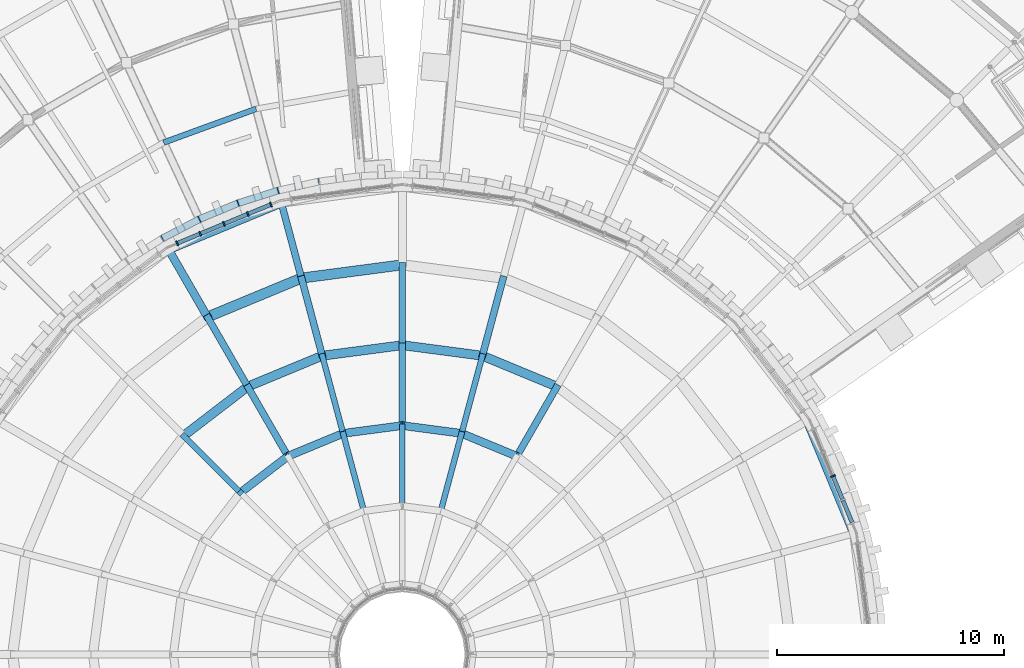
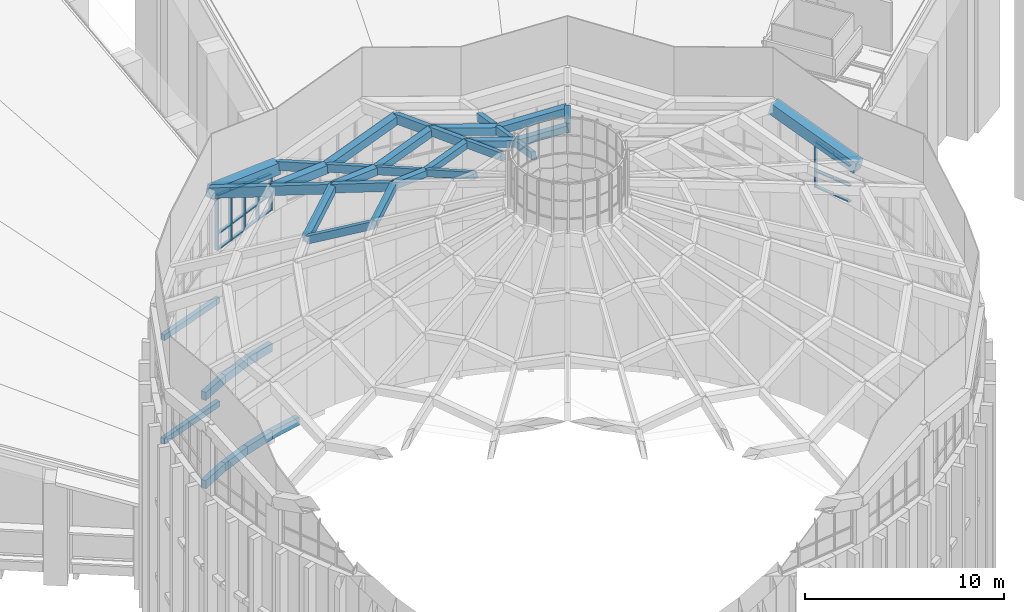
# One storey, part 15 of 82: 38 beams, 24 members, 2 elements without a shape of their own.
"""IFC4 building model written with IfcOpenShell, lengths in metres."""

from ifc_helpers import new_model, si_unit, direction, frame, origin, origin_2d, place, context, subcontext, project, spatial, rectangle, extrude, material, layer, layer_set, material_profile, profile_set, type_object, element, aggregate, save


model = new_model("IFC4")

# Units and contexts
model_context = context("Model", 3, precision=1e-05, world=origin(), true_north=direction((0.0, 1.0)))
body_context = subcontext(model_context, "Body", "Model", "MODEL_VIEW")
ifc_project = project(units=[si_unit("LENGTHUNIT", "METRE"), si_unit("AREAUNIT", "SQUARE_METRE"), si_unit("VOLUMEUNIT", "CUBIC_METRE"), si_unit("PLANEANGLEUNIT", "RADIAN"), si_unit("MASSUNIT", "GRAM", prefix="KILO")], contexts=[model_context])

# Site, building, storey
site_placement = place(None, origin())
site = spatial("IfcSite", under=ifc_project, at=site_placement, CompositionType="ELEMENT")
building_placement = place(site_placement, origin())
building = spatial("IfcBuilding", under=site, at=building_placement, Name="Volute Hill Aquarium", CompositionType="ELEMENT")
storey_placement = place(building_placement, frame((0.0, 0.0, 13.800048828125)))
storey = spatial("IfcBuildingStorey", under=building, at=storey_placement, Name="L04", CompositionType="ELEMENT", Elevation=13.800048828125)

# Curtain wall, member
ifc_material_1 = material(Name="Aluminium", Category="aluminium")
ifc_layer = layer(ifc_material_1, 0.219970703125)
ifc_layer_set = layer_set([ifc_layer], Name="Curtain wall DR clerestory module 1134")
curtain_wall_type = type_object("IfcCurtainWallType", Name="Curtain wall DR clerestory module 1134", PredefinedType="NOTDEFINED", material=ifc_layer_set)
curtain_wall_1_placement = place(storey_placement, origin())
curtain_wall_1 = element("IfcCurtainWall", 1, at=curtain_wall_1_placement, inside=storey, type_object=curtain_wall_type, Name="Curtain wall CW DR clerestory c01", PredefinedType="NOTDEFINED")
ifc_material_2 = material(Name="Aluminium", Category="aluminium")
ifc_material_profile_1 = material_profile(ifc_material_2, rectangle(XDim=0.219970703125, YDim=0.070068359375, at=origin_2d()), Name="Curtain wall mullion clerestory 70x220")
ifc_profile_set_1 = profile_set([ifc_material_profile_1], Name="Aluminium")
member_type_1 = type_object("IfcMemberType", Name="Curtain wall mullion clerestory 70x220", PredefinedType="MULLION", material=ifc_profile_set_1)
member_1_placement = place(storey_placement, frame((18.960693359375, 7.853759765625, 13.699951171875), z_axis=(0.0, 0.0, 1.0), x_axis=(-0.923874284426, -0.382696102118, 0.0)))
member_1 = element("IfcMember", 2, at=member_1_placement, type_object=member_type_1, Name="Mullion DR clerestory 3", PredefinedType="MULLION", context=body_context, shape_type="SweptSolid", body=[
    extrude(rectangle(XDim=0.219970703125, YDim=0.070068359375, at=origin_2d()), origin(), (0.0, 0.0, 1.0), 2.827392578125),
])

# Curtain wall, members
curtain_wall_2_placement = place(storey_placement, origin())
curtain_wall_2 = element("IfcCurtainWall", 3, at=curtain_wall_2_placement, inside=storey, type_object=curtain_wall_type, Name="Curtain wall CW DR clerestory c07", PredefinedType="NOTDEFINED")
member_2_placement = place(storey_placement, frame((-5.790771484375, 19.815185546875, 13.699951171875), z_axis=(0.0, 0.0, 1.0), x_axis=(0.382696102118, -0.923874284426, 0.0)))
member_2 = element("IfcMember", 4, at=member_2_placement, type_object=member_type_1, Name="Mullion DR clerestory 1", PredefinedType="MULLION", context=body_context, shape_type="SweptSolid", body=[
    extrude(rectangle(XDim=0.219970703125, YDim=0.070068359375, at=origin_2d()), origin(), (0.0, 0.0, 1.0), 2.248779296875),
])
member_3_placement = place(storey_placement, frame((-6.80615234375, 19.394775390625, 13.699951171875), z_axis=(0.0, 0.0, 1.0), x_axis=(0.382696102118, -0.923874284426, 0.0)))
member_3 = element("IfcMember", 5, at=member_3_placement, type_object=member_type_1, Name="Mullion DR clerestory 2", PredefinedType="MULLION", context=body_context, shape_type="SweptSolid", body=[
    extrude(rectangle(XDim=0.219970703125, YDim=0.070068359375, at=origin_2d()), origin(), (0.0, 0.0, 1.0), 2.533447265625),
])
member_4_placement = place(storey_placement, frame((-7.853759765625, 18.960693359375, 13.699951171875), z_axis=(0.0, 0.0, 1.0), x_axis=(0.382696102118, -0.923874284426, 0.0)))
member_4 = element("IfcMember", 6, at=member_4_placement, type_object=member_type_1, Name="Mullion DR clerestory 3", PredefinedType="MULLION", context=body_context, shape_type="SweptSolid", body=[
    extrude(rectangle(XDim=0.219970703125, YDim=0.070068359375, at=origin_2d()), origin(), (0.0, 0.0, 1.0), 2.827392578125),
])
member_5_placement = place(storey_placement, frame((-8.9013671875, 18.526611328125, 13.699951171875), z_axis=(0.0, 0.0, 1.0), x_axis=(0.382696102118, -0.923874284426, 0.0)))
member_5 = element("IfcMember", 7, at=member_5_placement, type_object=member_type_1, Name="Mullion DR clerestory 4", PredefinedType="MULLION", context=body_context, shape_type="SweptSolid", body=[
    extrude(rectangle(XDim=0.219970703125, YDim=0.070068359375, at=origin_2d()), origin(), (0.0, 0.0, 1.0), 3.12109375),
])
member_6_placement = place(storey_placement, frame((-9.916748046875, 18.106201171875, 13.699951171875), z_axis=(0.0, 0.0, 1.0), x_axis=(0.382696102118, -0.923874284426, 0.0)))
member_6 = element("IfcMember", 8, at=member_6_placement, type_object=member_type_1, Name="Mullion DR clerestory 5", PredefinedType="MULLION", context=body_context, shape_type="SweptSolid", body=[
    extrude(rectangle(XDim=0.219970703125, YDim=0.070068359375, at=origin_2d()), origin(), (0.0, 0.0, 1.0), 3.40576171875),
])

# Member
ifc_material_3 = material(Name="Aluminium", Category="aluminium")
ifc_material_profile_2 = material_profile(ifc_material_3, rectangle(XDim=0.179931640625, YDim=0.070068359375, at=origin_2d()), Name="Curtain wall transom clerestory 70x180")
ifc_profile_set_2 = profile_set([ifc_material_profile_2], Name="Aluminium")
member_type_2 = type_object("IfcMemberType", Name="Curtain wall transom clerestory 70x180", PredefinedType="USERDEFINED", material=ifc_profile_set_2)
member_7_placement = place(storey_placement, frame((19.8017578125, 5.8232421875, 13.73486328125), z_axis=(-0.382777942923, 0.923840379293, 0.0), x_axis=(-0.923840379293, -0.382777942923, 0.0)))
member_7 = element("IfcMember", 9, at=member_7_placement, type_object=member_type_2, Name="Transom DR clerestory 1.1", ObjectType="TRANSOM", PredefinedType="USERDEFINED", context=body_context, shape_type="SweptSolid", body=[
    extrude(rectangle(XDim=0.179931640625, YDim=0.070068359375, at=origin_2d()), origin(), (0.0, 0.0, 1.0), 1.02880859375),
])

member_8_placement = place(storey_placement, frame((19.8017578125, 5.8232421875, 14.699951171875), z_axis=(-0.382777942923, 0.923840379293, 0.0), x_axis=(-0.923840379293, -0.382777942923, 0.0)))
member_8 = element("IfcMember", 10, at=member_8_placement, type_object=member_type_2, Name="Transom DR clerestory 1.2", ObjectType="TRANSOM", PredefinedType="USERDEFINED", context=body_context, shape_type="SweptSolid", body=[
    extrude(rectangle(XDim=0.179931640625, YDim=0.070068359375, at=origin_2d()), origin(), (0.0, 0.0, 1.0), 1.02880859375),
])

member_9_placement = place(storey_placement, frame((19.8017578125, 5.8232421875, 15.9228515625), z_axis=(-0.370538555568, 0.894300432006, 0.250854372399), x_axis=(-0.923840379293, -0.382777942923, 0.0)))
member_9 = element("IfcMember", 11, at=member_9_placement, type_object=member_type_2, Name="Head member DR clerestory 1", ObjectType="TRANSOM", PredefinedType="USERDEFINED", context=body_context, shape_type="SweptSolid", body=[
    extrude(rectangle(XDim=0.179931640625, YDim=0.070068359375, at=origin_2d()), origin(), (0.0, 0.0, 1.0), 1.062744140625),
])

member_10_placement = place(storey_placement, frame((19.38134765625, 6.83837890625, 13.73486328125), z_axis=(-0.382675987972, 0.923882616045, 0.0), x_axis=(-0.923882616045, -0.382675987972, 0.0)))
member_10 = element("IfcMember", 12, at=member_10_placement, type_object=member_type_2, Name="Transom DR clerestory 2.1", ObjectType="TRANSOM", PredefinedType="USERDEFINED", context=body_context, shape_type="SweptSolid", body=[
    extrude(rectangle(XDim=0.179931640625, YDim=0.070068359375, at=origin_2d()), origin(), (0.0, 0.0, 1.0), 1.064208984375),
])

member_11_placement = place(storey_placement, frame((19.38134765625, 6.83837890625, 14.699951171875), z_axis=(-0.382675987972, 0.923882616045, 0.0), x_axis=(-0.923882616045, -0.382675987972, 0.0)))
member_11 = element("IfcMember", 13, at=member_11_placement, type_object=member_type_2, Name="Transom DR clerestory 2.2", ObjectType="TRANSOM", PredefinedType="USERDEFINED", context=body_context, shape_type="SweptSolid", body=[
    extrude(rectangle(XDim=0.179931640625, YDim=0.070068359375, at=origin_2d()), origin(), (0.0, 0.0, 1.0), 1.064208984375),
])

member_12_placement = place(storey_placement, frame((19.38134765625, 6.83837890625, 16.20751953125), z_axis=(-0.37045091668, 0.894368010473, 0.250742856674), x_axis=(-0.923882616045, -0.382675987972, 0.0)))
member_12 = element("IfcMember", 14, at=member_12_placement, type_object=member_type_2, Name="Head member DR clerestory 2", ObjectType="TRANSOM", PredefinedType="USERDEFINED", context=body_context, shape_type="SweptSolid", body=[
    extrude(rectangle(XDim=0.179931640625, YDim=0.070068359375, at=origin_2d()), origin(), (0.0, 0.0, 1.0), 1.099365234375),
])

aggregate(curtain_wall_1, [member_1, member_7, member_8, member_9, member_10, member_11, member_12])

member_13_placement = place(storey_placement, frame((-5.8232421875, 19.8017578125, 13.73486328125), z_axis=(-0.923840379293, -0.382777942923, 0.0), x_axis=(0.382777942923, -0.923840379293, 0.0)))
member_13 = element("IfcMember", 15, at=member_13_placement, type_object=member_type_2, Name="Transom DR clerestory 1.1", ObjectType="TRANSOM", PredefinedType="USERDEFINED", context=body_context, shape_type="SweptSolid", body=[
    extrude(rectangle(XDim=0.179931640625, YDim=0.070068359375, at=origin_2d()), origin(), (0.0, 0.0, 1.0), 1.02880859375),
])

member_14_placement = place(storey_placement, frame((-5.8232421875, 19.8017578125, 14.699951171875), z_axis=(-0.923840379293, -0.382777942923, 0.0), x_axis=(0.382777942923, -0.923840379293, 0.0)))
member_14 = element("IfcMember", 16, at=member_14_placement, type_object=member_type_2, Name="Transom DR clerestory 1.2", ObjectType="TRANSOM", PredefinedType="USERDEFINED", context=body_context, shape_type="SweptSolid", body=[
    extrude(rectangle(XDim=0.179931640625, YDim=0.070068359375, at=origin_2d()), origin(), (0.0, 0.0, 1.0), 1.02880859375),
])

member_15_placement = place(storey_placement, frame((-5.8232421875, 19.8017578125, 15.9228515625), z_axis=(-0.894300432006, -0.370538555568, 0.250854372399), x_axis=(0.382777942923, -0.923840379293, 0.0)))
member_15 = element("IfcMember", 17, at=member_15_placement, type_object=member_type_2, Name="Head member DR clerestory 1", ObjectType="TRANSOM", PredefinedType="USERDEFINED", context=body_context, shape_type="SweptSolid", body=[
    extrude(rectangle(XDim=0.179931640625, YDim=0.070068359375, at=origin_2d()), origin(), (0.0, 0.0, 1.0), 1.062744140625),
])

member_16_placement = place(storey_placement, frame((-6.83837890625, 19.38134765625, 13.73486328125), z_axis=(-0.923882616045, -0.382675987972, 0.0), x_axis=(0.382675987972, -0.923882616045, 0.0)))
member_16 = element("IfcMember", 18, at=member_16_placement, type_object=member_type_2, Name="Transom DR clerestory 2.1", ObjectType="TRANSOM", PredefinedType="USERDEFINED", context=body_context, shape_type="SweptSolid", body=[
    extrude(rectangle(XDim=0.179931640625, YDim=0.070068359375, at=origin_2d()), origin(), (0.0, 0.0, 1.0), 1.064208984375),
])

member_17_placement = place(storey_placement, frame((-6.83837890625, 19.38134765625, 14.699951171875), z_axis=(-0.923882616045, -0.382675987972, 0.0), x_axis=(0.382675987972, -0.923882616045, 0.0)))
member_17 = element("IfcMember", 19, at=member_17_placement, type_object=member_type_2, Name="Transom DR clerestory 2.2", ObjectType="TRANSOM", PredefinedType="USERDEFINED", context=body_context, shape_type="SweptSolid", body=[
    extrude(rectangle(XDim=0.179931640625, YDim=0.070068359375, at=origin_2d()), origin(), (0.0, 0.0, 1.0), 1.064208984375),
])

member_18_placement = place(storey_placement, frame((-6.83837890625, 19.38134765625, 16.20751953125), z_axis=(-0.894368010473, -0.37045091668, 0.250742856674), x_axis=(0.382675987972, -0.923882616045, 0.0)))
member_18 = element("IfcMember", 20, at=member_18_placement, type_object=member_type_2, Name="Head member DR clerestory 2", ObjectType="TRANSOM", PredefinedType="USERDEFINED", context=body_context, shape_type="SweptSolid", body=[
    extrude(rectangle(XDim=0.179931640625, YDim=0.070068359375, at=origin_2d()), origin(), (0.0, 0.0, 1.0), 1.099365234375),
])

member_19_placement = place(storey_placement, frame((-7.88623046875, 18.947265625, 13.73486328125), z_axis=(-0.923849008585, -0.38275711533, 0.0), x_axis=(0.38275711533, -0.923849008585, 0.0)))
member_19 = element("IfcMember", 21, at=member_19_placement, type_object=member_type_2, Name="Transom DR clerestory 3.1", ObjectType="TRANSOM", PredefinedType="USERDEFINED", context=body_context, shape_type="SweptSolid", body=[
    extrude(rectangle(XDim=0.179931640625, YDim=0.070068359375, at=origin_2d()), origin(), (0.0, 0.0, 1.0), 1.06396484375),
])

member_20_placement = place(storey_placement, frame((-7.88623046875, 18.947265625, 14.699951171875), z_axis=(-0.923849008585, -0.38275711533, 0.0), x_axis=(0.38275711533, -0.923849008585, 0.0)))
member_20 = element("IfcMember", 22, at=member_20_placement, type_object=member_type_2, Name="Transom DR clerestory 3.2", ObjectType="TRANSOM", PredefinedType="USERDEFINED", context=body_context, shape_type="SweptSolid", body=[
    extrude(rectangle(XDim=0.179931640625, YDim=0.070068359375, at=origin_2d()), origin(), (0.0, 0.0, 1.0), 1.06396484375),
])

member_21_placement = place(storey_placement, frame((-7.88623046875, 18.947265625, 16.501220703125), z_axis=(-0.894273714183, -0.3705038637, 0.251000818934), x_axis=(0.38275711533, -0.923849008585, 0.0)))
member_21 = element("IfcMember", 23, at=member_21_placement, type_object=member_type_2, Name="Head member DR clerestory 3", ObjectType="TRANSOM", PredefinedType="USERDEFINED", context=body_context, shape_type="SweptSolid", body=[
    extrude(rectangle(XDim=0.179931640625, YDim=0.070068359375, at=origin_2d()), origin(), (0.0, 0.0, 1.0), 1.09912109375),
])

member_22_placement = place(storey_placement, frame((-8.933837890625, 18.513427734375, 13.73486328125), z_axis=(-0.923875137994, -0.382694041496, 0.0), x_axis=(0.382694041496, -0.923875137994, 0.0)))
member_22 = element("IfcMember", 24, at=member_22_placement, type_object=member_type_2, Name="Transom DR clerestory 4.1", ObjectType="TRANSOM", PredefinedType="USERDEFINED", context=body_context, shape_type="SweptSolid", body=[
    extrude(rectangle(XDim=0.179931640625, YDim=0.070068359375, at=origin_2d()), origin(), (0.0, 0.0, 1.0), 1.029052734375),
])

member_23_placement = place(storey_placement, frame((-8.933837890625, 18.513427734375, 14.699951171875), z_axis=(-0.923875137994, -0.382694041496, 0.0), x_axis=(0.382694041496, -0.923875137994, 0.0)))
member_23 = element("IfcMember", 25, at=member_23_placement, type_object=member_type_2, Name="Transom DR clerestory 4.2", ObjectType="TRANSOM", PredefinedType="USERDEFINED", context=body_context, shape_type="SweptSolid", body=[
    extrude(rectangle(XDim=0.179931640625, YDim=0.070068359375, at=origin_2d()), origin(), (0.0, 0.0, 1.0), 1.029052734375),
])

member_24_placement = place(storey_placement, frame((-8.933837890625, 18.513427734375, 16.795166015625), z_axis=(-0.894346413946, -0.370462446249, 0.250802846438), x_axis=(0.382694041496, -0.923875137994, 0.0)))
member_24 = element("IfcMember", 26, at=member_24_placement, type_object=member_type_2, Name="Head member DR clerestory 4", ObjectType="TRANSOM", PredefinedType="USERDEFINED", context=body_context, shape_type="SweptSolid", body=[
    extrude(rectangle(XDim=0.179931640625, YDim=0.070068359375, at=origin_2d()), origin(), (0.0, 0.0, 1.0), 1.06298828125),
])

aggregate(curtain_wall_2, [member_2, member_3, member_4, member_5, member_6, member_13, member_14, member_15, member_16, member_17, member_18, member_19, member_20, member_21, member_22, member_23, member_24])

# Beams
ifc_material_4 = material(Name="Concrete C40/50", Category="concrete")
ifc_material_profile_3 = material_profile(ifc_material_4, rectangle(XDim=0.60009765625, YDim=0.699951171875, at=origin_2d()), Name="RC beam 600x700")
ifc_profile_set_3 = profile_set([ifc_material_profile_3], Name="Concrete C40/50")
beam_type_1 = type_object("IfcBeamType", Name="Dome shell eave ring beam 600x700", PredefinedType="BEAM", material=ifc_profile_set_3)
for number, where, z_axis, x_axis, name in (
    (27, (19.99462890625, 5.357666015625, 16.1162109375), (-0.370444717355, 0.894359389043, 0.250782763791), (-0.923883575944, -0.382673670509, 0.0), "rb/DR/L04/eave.1"),
    (28, (-5.357666015625, 19.99462890625, 16.1162109375), (-0.894359389043, -0.370444717355, 0.250782763791), (0.382673670509, -0.923883575944, 0.0), "rb/DR/L04/eave.7"),
):
    element("IfcBeam", number, at=place(storey_placement, frame(where, z_axis=z_axis, x_axis=x_axis)), inside=storey, type_object=beam_type_1, Name=name, PredefinedType="BEAM", context=body_context, shape_type="SweptSolid", body=[
        extrude(rectangle(XDim=0.60009765625, YDim=0.699951171875, at=origin_2d()), origin(), (0.0, 0.0, 1.0), 5.58203125),
    ])
ifc_material_5 = material(Name="Concrete C40/50", Category="concrete")
ifc_material_profile_4 = material_profile(ifc_material_5, rectangle(XDim=0.25, YDim=0.449951171875, at=origin_2d()), Name="RC rib 250x450")
ifc_profile_set_4 = profile_set([ifc_material_profile_4], Name="Concrete C40/50")
beam_type_2 = type_object("IfcBeamType", Name="Dome shell ridge rib 250x450", PredefinedType="BEAM", material=ifc_profile_set_4)
beam_1_placement = place(storey_placement, frame((0.0, 10.080078125, 21.663818359375), z_axis=(0.0, -0.935061662861, 0.354485100741), x_axis=(1.0, 0.0, 0.0)))
element("IfcBeam", 29, at=beam_1_placement, inside=storey, type_object=beam_type_2, Name="rb/DR/L04/ridge3.6", PredefinedType="BEAM", context=body_context, shape_type="SweptSolid", body=[
    extrude(rectangle(XDim=0.25, YDim=0.449951171875, at=origin_2d()), origin(), (0.0, 0.0, 1.0), 3.785888671875),
])
ifc_material_6 = material(Name="Concrete C40/50", Category="concrete")
ifc_material_profile_5 = material_profile(ifc_material_6, rectangle(XDim=0.300048828125, YDim=0.5, at=origin_2d()), Name="RC rib 300x500")
ifc_profile_set_5 = profile_set([ifc_material_profile_5], Name="Concrete C40/50")
beam_type_3 = type_object("IfcBeamType", Name="Dome shell ridge rib 300x500", PredefinedType="BEAM", material=ifc_profile_set_5)
beam_2_placement = place(storey_placement, frame((6.81005859375, 11.79541015625, 20.294677734375), z_axis=(-0.467504723153, -0.809782663911, 0.354529788675), x_axis=(0.866036293601, -0.499981137809, 0.0)))
element("IfcBeam", 30, at=beam_2_placement, inside=storey, type_object=beam_type_3, Name="rb/DR/L04/ridge2.4", PredefinedType="BEAM", context=body_context, shape_type="SweptSolid", body=[
    extrude(rectangle(XDim=0.300048828125, YDim=0.5, at=origin_2d()), origin(), (0.0, 0.0, 1.0), 3.7861328125),
])
beam_3_placement = place(storey_placement, frame((0.0, 13.6201171875, 20.294677734375), z_axis=(0.0, -0.935040286435, 0.354541482401), x_axis=(1.0, 0.0, 0.0)))
element("IfcBeam", 31, at=beam_3_placement, inside=storey, type_object=beam_type_3, Name="rb/DR/L04/ridge2.6", PredefinedType="BEAM", context=body_context, shape_type="SweptSolid", body=[
    extrude(rectangle(XDim=0.300048828125, YDim=0.5, at=origin_2d()), origin(), (0.0, 0.0, 1.0), 3.785888671875),
])
beam_4_placement = place(storey_placement, frame((-6.81005859375, 11.79541015625, 20.294677734375), z_axis=(0.467504723153, -0.809782663911, 0.354529788675), x_axis=(0.866036293601, 0.499981137809, 0.0)))
element("IfcBeam", 32, at=beam_4_placement, inside=storey, type_object=beam_type_3, Name="rb/DR/L04/ridge2.8", PredefinedType="BEAM", context=body_context, shape_type="SweptSolid", body=[
    extrude(rectangle(XDim=0.300048828125, YDim=0.5, at=origin_2d()), origin(), (0.0, 0.0, 1.0), 3.7861328125),
])
ifc_material_7 = material(Name="Concrete C40/50", Category="concrete")
ifc_material_profile_6 = material_profile(ifc_material_7, rectangle(XDim=0.300048828125, YDim=0.550048828125, at=origin_2d()), Name="RC rib 300x550")
ifc_profile_set_6 = profile_set([ifc_material_profile_6], Name="Concrete C40/50")
beam_type_4 = type_object("IfcBeamType", Name="Dome shell ridge rib 300x550", PredefinedType="BEAM", material=ifc_profile_set_6)
beam_5_placement = place(storey_placement, frame((0.0, 17.159912109375, 18.92578125), z_axis=(0.0, -0.935032179892, 0.354562861235), x_axis=(1.0, 0.0, 0.0)))
element("IfcBeam", 33, at=beam_5_placement, inside=storey, type_object=beam_type_4, Name="rb/DR/L04/ridge1.6", PredefinedType="BEAM", context=body_context, shape_type="SweptSolid", body=[
    extrude(rectangle(XDim=0.300048828125, YDim=0.550048828125, at=origin_2d()), origin(), (0.0, 0.0, 1.0), 3.78564453125),
])
beam_6_placement = place(storey_placement, frame((-8.580078125, 14.861083984375, 18.92578125), z_axis=(0.467529136043, -0.809760463627, 0.354548302064), x_axis=(0.866019052629, 0.500011000363, 0.0)))
element("IfcBeam", 34, at=beam_6_placement, inside=storey, type_object=beam_type_4, Name="rb/DR/L04/ridge1.8", PredefinedType="BEAM", context=body_context, shape_type="SweptSolid", body=[
    extrude(rectangle(XDim=0.300048828125, YDim=0.550048828125, at=origin_2d()), origin(), (0.0, 0.0, 1.0), 3.785888671875),
])
ifc_material_8 = material(Name="Concrete C40/50", Category="concrete")
ifc_material_profile_7 = material_profile(ifc_material_8, rectangle(XDim=0.35009765625, YDim=0.60009765625, at=origin_2d()), Name="RC rib 350x600")
ifc_profile_set_7 = profile_set([ifc_material_profile_7], Name="Concrete C40/50")
beam_type_5 = type_object("IfcBeamType", Name="Dome shell ridge rib 350x600", PredefinedType="BEAM", material=ifc_profile_set_7)
beam_7_placement = place(storey_placement, frame((-10.35009765625, 17.9267578125, 17.556884765625), z_axis=(0.467539824873, -0.80977897668, 0.354491919631), x_axis=(0.866019052629, 0.500011000363, 0.0)))
element("IfcBeam", 35, at=beam_7_placement, inside=storey, type_object=beam_type_5, Name="rb/DR/L04/ridge0.8", PredefinedType="BEAM", context=body_context, shape_type="SweptSolid", body=[
    extrude(rectangle(XDim=0.35009765625, YDim=0.60009765625, at=origin_2d()), origin(), (0.0, 0.0, 1.0), 3.785888671875),
])
ifc_material_9 = material(Name="Concrete C40/50", Category="concrete")
ifc_material_profile_8 = material_profile(ifc_material_9, rectangle(XDim=0.35009765625, YDim=0.39990234375, at=origin_2d()), Name="RC beam 350x400")
ifc_profile_set_8 = profile_set([ifc_material_profile_8], Name="Concrete C40/50")
beam_type_6 = type_object("IfcBeamType", Name="Dome shell ring beam 350x400", PredefinedType="BEAM", material=ifc_profile_set_8)
for number, where, z_axis, x_axis, name in (
    (36, (5.0400390625, 8.7294921875, 21.69775390625), (-0.894353424726, 0.370476790218, -0.250756654131), (-0.382704128228, -0.923870959733, 0.0), "rb/DR/L04/ring3.4"),
    (37, (2.60888671875, 9.736572265625, 21.01611328125), (-0.959764618825, 0.126369906297, 0.250763879446), (-0.130540912694, -0.991442923275, 0.0), "rb/DR/L04/ring3.5"),
    (38, (0.0, 10.080078125, 21.69775390625), (-0.959764618825, -0.126369906297, -0.250763879446), (0.130540912694, -0.991442923275, 0.0), "rb/DR/L04/ring3.6"),
    (39, (-2.60888671875, 9.736572265625, 21.01611328125), (-0.894353424726, -0.370476790218, 0.250756654131), (0.382704128228, -0.923870959733, 0.0), "rb/DR/L04/ring3.7"),
    (40, (-5.0400390625, 8.7294921875, 21.69775390625), (-0.768021440835, -0.589286477993, -0.250767847364), (0.608737306285, -0.793371849725, 0.0), "rb/DR/L04/ring3.8"),
):
    element("IfcBeam", number, at=place(storey_placement, frame(where, z_axis=z_axis, x_axis=x_axis)), inside=storey, type_object=beam_type_6, Name=name, PredefinedType="BEAM", context=body_context, shape_type="SweptSolid", body=[
        extrude(rectangle(XDim=0.35009765625, YDim=0.39990234375, at=origin_2d()), origin(), (0.0, 0.0, 1.0), 2.71826171875),
    ])
ifc_material_10 = material(Name="Concrete C40/50", Category="concrete")
ifc_material_profile_9 = material_profile(ifc_material_10, rectangle(XDim=0.39990234375, YDim=0.449951171875, at=origin_2d()), Name="RC beam 400x450")
ifc_profile_set_9 = profile_set([ifc_material_profile_9], Name="Concrete C40/50")
beam_type_7 = type_object("IfcBeamType", Name="Dome shell ring beam 400x450", PredefinedType="BEAM", material=ifc_profile_set_9)
for number, where, z_axis, x_axis, name in (
    (41, (6.81005859375, 11.79541015625, 20.32958984375), (-0.89435881781, 0.370439367644, -0.250792703054), (-0.382669162072, -0.923885443331, 0.0), "rb/DR/L04/ring2.4"),
    (42, (3.525146484375, 13.156005859375, 19.408447265625), (-0.959758944171, 0.126359287545, 0.250790947874), (-0.13053088898, -0.991444243022, 0.0), "rb/DR/L04/ring2.5"),
    (43, (0.0, 13.6201171875, 20.32958984375), (-0.959758944171, -0.126359287545, -0.250790947874), (0.13053088898, -0.991444243022, 0.0), "rb/DR/L04/ring2.6"),
    (44, (-3.525146484375, 13.156005859375, 19.408447265625), (-0.89435881781, -0.370439367644, 0.250792703054), (0.382669162072, -0.923885443331, 0.0), "rb/DR/L04/ring2.7"),
    (45, (-6.81005859375, 11.79541015625, 20.32958984375), (-0.767989284107, -0.589319109649, -0.250789645918), (0.608774566293, -0.793343259525, 0.0), "rb/DR/L04/ring2.8"),
):
    element("IfcBeam", number, at=place(storey_placement, frame(where, z_axis=z_axis, x_axis=x_axis)), inside=storey, type_object=beam_type_7, Name=name, PredefinedType="BEAM", context=body_context, shape_type="SweptSolid", body=[
        extrude(rectangle(XDim=0.39990234375, YDim=0.449951171875, at=origin_2d()), origin(), (0.0, 0.0, 1.0), 3.6728515625),
    ])
ifc_material_11 = material(Name="Concrete C40/50", Category="concrete")
ifc_material_profile_10 = material_profile(ifc_material_11, rectangle(XDim=0.449951171875, YDim=0.5, at=origin_2d()), Name="RC beam 450x500")
ifc_profile_set_10 = profile_set([ifc_material_profile_10], Name="Concrete C40/50")
beam_type_8 = type_object("IfcBeamType", Name="Dome shell ring beam 450x500", PredefinedType="BEAM", material=ifc_profile_set_10)
beam_8_placement = place(storey_placement, frame((0.0, 17.159912109375, 18.961669921875), z_axis=(-0.959755610511, -0.126353050087, -0.250806847646), x_axis=(0.130525001021, -0.991445018197, 0.0)))
element("IfcBeam", 46, at=beam_8_placement, inside=storey, type_object=beam_type_8, Name="rb/DR/L04/ring1.6", PredefinedType="BEAM", context=body_context, shape_type="SweptSolid", body=[
    extrude(rectangle(XDim=0.449951171875, YDim=0.5, at=origin_2d()), origin(), (0.0, 0.0, 1.0), 4.627685546875),
])
beam_9_placement = place(storey_placement, frame((-4.44140625, 16.5751953125, 17.801025390625), z_axis=(-0.894361984725, -0.37041738407, 0.250813878916), x_axis=(0.382648621371, -0.923893950929, 0.0)))
element("IfcBeam", 47, at=beam_9_placement, inside=storey, type_object=beam_type_8, Name="rb/DR/L04/ring1.7", PredefinedType="BEAM", context=body_context, shape_type="SweptSolid", body=[
    extrude(rectangle(XDim=0.449951171875, YDim=0.5, at=origin_2d()), origin(), (0.0, 0.0, 1.0), 4.62744140625),
])
ifc_material_12 = material(Name="Concrete C40/50", Category="concrete")
ifc_material_profile_11 = material_profile(ifc_material_12, rectangle(XDim=0.25, YDim=0.39990234375, at=origin_2d()), Name="RC rib 250x400")
ifc_profile_set_11 = profile_set([ifc_material_profile_11], Name="Concrete C40/50")
beam_type_9 = type_object("IfcBeamType", Name="Dome shell valley rib 250x400", PredefinedType="BEAM", material=ifc_profile_set_11)
for number, where, z_axis, x_axis, name in (
    (48, (2.60888671875, 9.736572265625, 21.003662109375), (-0.236314805179, -0.881914511416, 0.407899629084), (0.965924039886, -0.258825711959, 0.0), "rb/DR/L04/valley3.5"),
    (49, (-2.60888671875, 9.736572265625, 21.003662109375), (0.236314805179, -0.881914511416, 0.407899629084), (0.965924039886, 0.258825711959, 0.0), "rb/DR/L04/valley3.7"),
):
    element("IfcBeam", number, at=place(storey_placement, frame(where, z_axis=z_axis, x_axis=x_axis)), inside=storey, type_object=beam_type_9, Name=name, PredefinedType="BEAM", context=body_context, shape_type="SweptSolid", body=[
        extrude(rectangle(XDim=0.25, YDim=0.39990234375, at=origin_2d()), origin(), (0.0, 0.0, 1.0), 3.877197265625),
    ])
ifc_material_13 = material(Name="Concrete C40/50", Category="concrete")
ifc_material_profile_12 = material_profile(ifc_material_13, rectangle(XDim=0.25, YDim=0.449951171875, at=origin_2d()), Name="RC rib 250x450")
ifc_profile_set_12 = profile_set([ifc_material_profile_12], Name="Concrete C40/50")
beam_type_10 = type_object("IfcBeamType", Name="Dome shell valley rib 250x450", PredefinedType="BEAM", material=ifc_profile_set_12)
for number, where, z_axis, x_axis, name in (
    (50, (3.525146484375, 13.156005859375, 19.39453125), (-0.236308735393, -0.881891859291, 0.407952117403), (0.965924039886, -0.258825711959, 0.0), "rb/DR/L04/valley2.5"),
    (51, (-3.525146484375, 13.156005859375, 19.39453125), (0.236308735393, -0.881891859291, 0.407952117403), (0.965924039886, 0.258825711959, 0.0), "rb/DR/L04/valley2.7"),
    (52, (-9.630859375, 9.630859375, 19.39453125), (0.645589557289, -0.645589557289, 0.407956182744), (0.707106781187, 0.707106781187, 0.0), "rb/DR/L04/valley2.9"),
):
    element("IfcBeam", number, at=place(storey_placement, frame(where, z_axis=z_axis, x_axis=x_axis)), inside=storey, type_object=beam_type_10, Name=name, PredefinedType="BEAM", context=body_context, shape_type="SweptSolid", body=[
        extrude(rectangle(XDim=0.25, YDim=0.449951171875, at=origin_2d()), origin(), (0.0, 0.0, 1.0), 3.87744140625),
    ])
ifc_material_14 = material(Name="Concrete C40/50", Category="concrete")
ifc_material_profile_13 = material_profile(ifc_material_14, rectangle(XDim=0.300048828125, YDim=0.449951171875, at=origin_2d()), Name="RC rib 300x450")
ifc_profile_set_13 = profile_set([ifc_material_profile_13], Name="Concrete C40/50")
beam_type_11 = type_object("IfcBeamType", Name="Dome shell valley rib 300x450", PredefinedType="BEAM", material=ifc_profile_set_13)
for number, where, z_axis, x_axis, name in (
    (53, (4.44140625, 16.5751953125, 17.812744140625), (-0.236321857906, -0.881877863035, 0.407974771482), (0.965919419406, -0.258842954733, 0.0), "rb/DR/L04/valley1.5"),
    (54, (-4.44140625, 16.5751953125, 17.812744140625), (0.236321857906, -0.881877863035, 0.407974771482), (0.965919419406, 0.258842954733, 0.0), "rb/DR/L04/valley1.7"),
):
    element("IfcBeam", number, at=place(storey_placement, frame(where, z_axis=z_axis, x_axis=x_axis)), inside=storey, type_object=beam_type_11, Name=name, PredefinedType="BEAM", context=body_context, shape_type="SweptSolid", body=[
        extrude(rectangle(XDim=0.300048828125, YDim=0.449951171875, at=origin_2d()), origin(), (0.0, 0.0, 1.0), 3.877197265625),
    ])
ifc_material_15 = material(Name="Concrete C40/50", Category="concrete")
ifc_material_profile_14 = material_profile(ifc_material_15, rectangle(XDim=0.300048828125, YDim=0.5, at=origin_2d()), Name="RC rib 300x500")
ifc_profile_set_14 = profile_set([ifc_material_profile_14], Name="Concrete C40/50")
beam_type_12 = type_object("IfcBeamType", Name="Dome shell valley rib 300x500", PredefinedType="BEAM", material=ifc_profile_set_14)
beam_10_placement = place(storey_placement, frame((-5.357666015625, 19.99462890625, 16.203857421875), z_axis=(0.236314805179, -0.881914511416, 0.407899629084), x_axis=(0.965924039886, 0.258825711959, 0.0)))
element("IfcBeam", 55, at=beam_10_placement, inside=storey, type_object=beam_type_12, Name="rb/DR/L04/valley0.7", PredefinedType="BEAM", context=body_context, shape_type="SweptSolid", body=[
    extrude(rectangle(XDim=0.300048828125, YDim=0.5, at=origin_2d()), origin(), (0.0, 0.0, 1.0), 3.877197265625),
])
ifc_material_16 = material(Name="Concrete C35/45", Category="concrete")
ifc_material_profile_15 = material_profile(ifc_material_16, rectangle(XDim=0.300048828125, YDim=0.5, at=origin_2d()), Name="RC edge beam 300x500")
ifc_profile_set_15 = profile_set([ifc_material_profile_15], Name="Concrete C35/45")
beam_type_13 = type_object("IfcBeamType", Name="Edge beam 300x500 C35/45", PredefinedType="BEAM", material=ifc_profile_set_15)
for number, where, z_axis, x_axis, name in (
    (56, (-3.672607421875, 20.828857421875, -0.570068359375), (-0.976292789523, -0.216454127071, 0.0), (0.216454127071, -0.976292789523, 0.0), "bm/S6/L04/edgeD.33"),
    (57, (-5.47412109375, 20.429443359375, -0.570068359375), (-0.953704567191, -0.300745072312, 0.0), (0.300745072312, -0.953704567191, 0.0), "bm/S6/L04/edgeD.34"),
):
    element("IfcBeam", number, at=place(storey_placement, frame(where, z_axis=z_axis, x_axis=x_axis)), inside=storey, type_object=beam_type_13, Name=name, PredefinedType="BEAM", context=body_context, shape_type="SweptSolid", body=[
        extrude(rectangle(XDim=0.300048828125, YDim=0.5, at=origin_2d()), origin(), (0.0, 0.0, 1.0), 1.84521484375),
    ])
beam_11_placement = place(storey_placement, frame((-7.23388671875, 19.87451171875, -0.570068359375), z_axis=(-0.923881361379, -0.382679017059, 0.0), x_axis=(0.382679017059, -0.923881361379, 0.0)))
element("IfcBeam", 58, at=beam_11_placement, inside=storey, type_object=beam_type_13, Name="bm/S6/L04/edgeD.35", PredefinedType="BEAM", context=body_context, shape_type="SweptSolid", body=[
    extrude(rectangle(XDim=0.300048828125, YDim=0.5, at=origin_2d()), origin(), (0.0, 0.0, 1.0), 1.844970703125),
])
for number, where, z_axis, x_axis, name in (
    (59, (-8.9384765625, 19.16845703125, -0.570068359375), (-0.887058600994, -0.461656840523, 0.0), (0.461656840523, -0.887058600994, 0.0), "bm/S6/L04/edgeD.36"),
    (60, (-5.47412109375, 20.429443359375, 4.830322265625), (-0.953644258668, -0.300726054377, 0.011245804937), (0.300745072312, -0.953704567191, 0.0), "rb/S6/L04/edgeD.34"),
    (61, (-7.23388671875, 19.87451171875, 4.85107421875), (-0.923822928729, -0.38265481379, -0.011246770115), (0.382679017059, -0.923881361379, 0.0), "rb/S6/L04/edgeD.35"),
    (62, (-8.9384765625, 19.16845703125, 4.830322265625), (-0.887002501935, -0.461627644578, 0.011246302605), (0.461656840523, -0.887058600994, 0.0), "rb/S6/L04/edgeD.36"),
):
    element("IfcBeam", number, at=place(storey_placement, frame(where, z_axis=z_axis, x_axis=x_axis)), inside=storey, type_object=beam_type_13, Name=name, PredefinedType="BEAM", context=body_context, shape_type="SweptSolid", body=[
        extrude(rectangle(XDim=0.300048828125, YDim=0.5, at=origin_2d()), origin(), (0.0, 0.0, 1.0), 1.84521484375),
    ])
ifc_material_17 = material(Name="Concrete C35/45", Category="concrete")
ifc_material_profile_16 = material_profile(ifc_material_17, rectangle(XDim=0.25, YDim=0.35009765625, at=origin_2d()), Name="RC joist 250x350")
ifc_profile_set_16 = profile_set([ifc_material_profile_16], Name="Concrete C35/45")
beam_type_14 = type_object("IfcBeamType", Name="Joist 250x350 C35/45", PredefinedType="BEAM", material=ifc_profile_set_16)
for number, where, z_axis, x_axis, name in (
    (63, (-6.43798828125, 24.02734375, -0.4951171875), (-0.939704621376, -0.341987170176, 0.0), (0.341987170176, -0.939704621376, 0.0), "bm/S6/L04/jst2"),
    (64, (-6.43798828125, 24.02734375, 5.863037109375), (-0.939704621376, -0.341987170176, 0.0), (0.341987170176, -0.939704621376, 0.0), "rb/S6/L04/jst2"),
):
    element("IfcBeam", number, at=place(storey_placement, frame(where, z_axis=z_axis, x_axis=x_axis)), inside=storey, type_object=beam_type_14, Name=name, PredefinedType="BEAM", context=body_context, shape_type="SweptSolid", body=[
        extrude(rectangle(XDim=0.25, YDim=0.35009765625, at=origin_2d()), origin(), (0.0, 0.0, 1.0), 4.336181640625),
    ])

save(model, "model.ifc")
